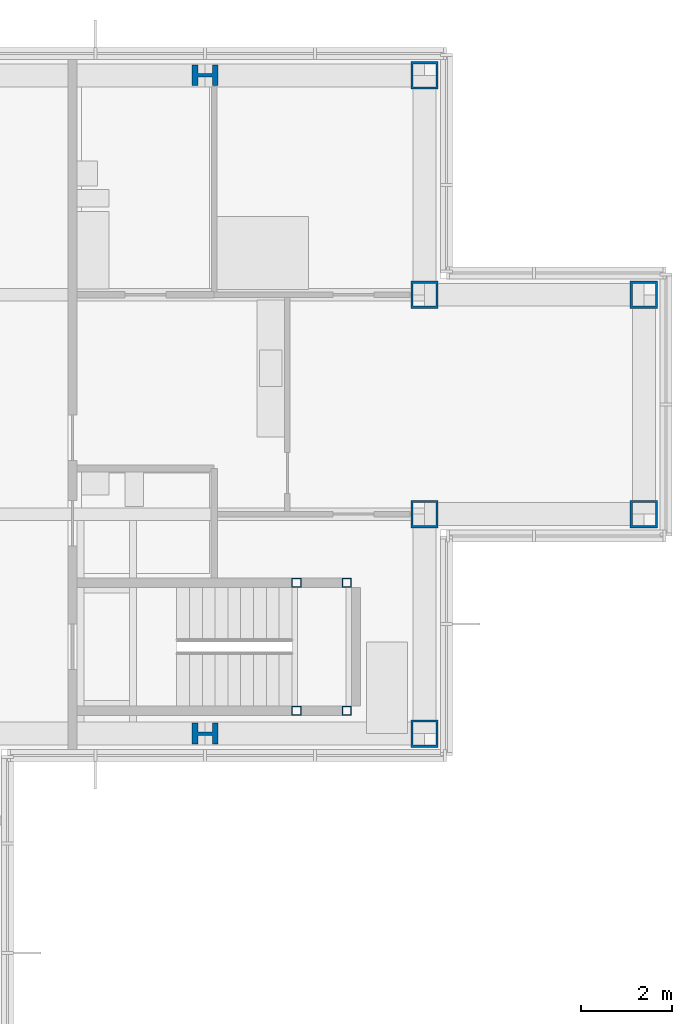
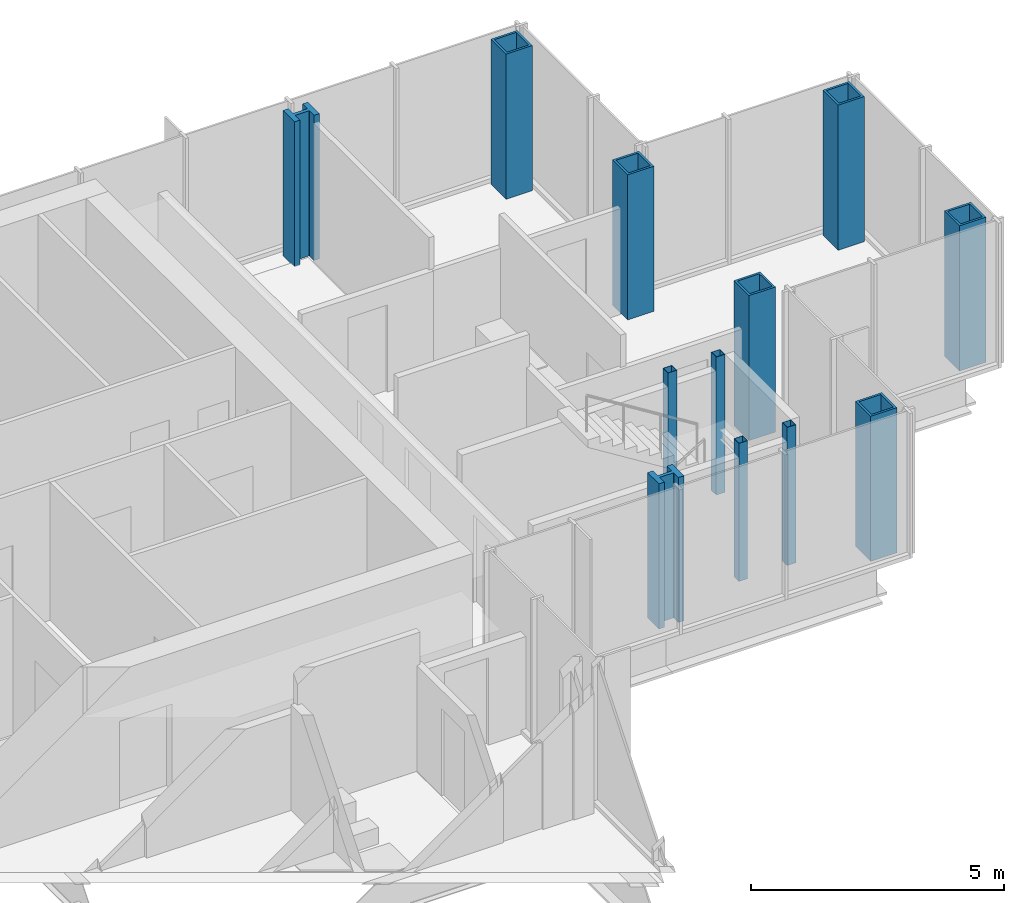
# One storey, part 4 of 15: 12 columns.
"""IFC4 building model written with IfcOpenShell, lengths in metres."""

from ifc_helpers import new_model, si_unit, direction, frame, origin, origin_2d, place, context, subcontext, project, spatial, hollow_rectangle, i_section, extrude, material, material_profile, profile_set, type_object, element, save


model = new_model("IFC4")

# Units and contexts
model_context = context("Model", 3, precision=1e-05, world=origin(), true_north=direction((0.0, 1.0)))
body_context = subcontext(model_context, "Body", "Model", "MODEL_VIEW")
ifc_project = project(units=[si_unit("LENGTHUNIT", "METRE"), si_unit("AREAUNIT", "SQUARE_METRE"), si_unit("VOLUMEUNIT", "CUBIC_METRE"), si_unit("PLANEANGLEUNIT", "RADIAN"), si_unit("MASSUNIT", "GRAM", prefix="KILO")], contexts=[model_context])

# Site, building, storey
site_placement = place(None, origin())
site = spatial("IfcSite", under=ifc_project, at=site_placement, CompositionType="ELEMENT")
building_placement = place(site_placement, origin())
building = spatial("IfcBuilding", under=site, at=building_placement, Name="Kvirike Care Tower", CompositionType="ELEMENT")
storey_placement = place(building_placement, frame((0.0, 0.0, 205.0)))
storey = spatial("IfcBuildingStorey", under=building, at=storey_placement, Name="L56", CompositionType="ELEMENT", Elevation=205.0)

# Columns
ifc_material_1 = material(Name="Steel S460", Category="steel")
ifc_material_profile_1 = material_profile(ifc_material_1, hollow_rectangle(XDim=0.60009765625, YDim=0.60009765625, WallThickness=0.050048828125, at=origin_2d()), Name="BX 600x600x50")
ifc_profile_set_1 = profile_set([ifc_material_profile_1], Name="Steel S460")
column_type_1 = type_object("IfcColumnType", Name="COLUMN BX 600x600x50", PredefinedType="COLUMN", material=ifc_profile_set_1)
for number, where, z_axis, x_axis, name in (
    (1, (38.39990234375, 28.800048828125, 0.0), (0.0, 0.0, 1.0), (0.0, 1.0, 0.0), "Column G11 L56"),
    (2, (38.39990234375, 33.60009765625, 0.0), (0.0, 0.0, 1.0), (0.0, 1.0, 0.0), "Column H11 L56"),
    (3, (38.39990234375, 38.39990234375, 0.0), (0.0, 0.0, 1.0), (0.0, 1.0, 0.0), "Column J11 L56"),
    (4, (38.39990234375, 43.199951171875, 0.0), (0.0, 0.0, 1.0), (0.0, 1.0, 0.0), "Column K11 L56"),
    (5, (43.199951171875, 33.60009765625, 0.0), (0.0, 0.0, 1.0), (0.0, 1.0, 0.0), "Column H12 L56"),
    (6, (43.199951171875, 38.39990234375, 0.0), (0.0, 0.0, 1.0), (0.0, 1.0, 0.0), "Column J12 L56"),
):
    element("IfcColumn", number, at=place(storey_placement, frame(where, z_axis=z_axis, x_axis=x_axis)), inside=storey, type_object=column_type_1, Name=name, PredefinedType="COLUMN", context=body_context, shape_type="SweptSolid", body=[
        extrude(hollow_rectangle(XDim=0.60009765625, YDim=0.60009765625, WallThickness=0.050048828125, at=origin_2d()), origin(), (0.0, 0.0, 1.0), 3.5),
    ])
ifc_material_2 = material(Name="Steel S460", Category="steel")
ifc_material_profile_2 = material_profile(ifc_material_2, i_section(OverallWidth=0.4541015625, OverallDepth=0.569091796875, WebThickness=0.077880859375, FlangeThickness=0.125, FilletRadius=0.014892578125, at=origin_2d()), Name="HD 400x1086")
ifc_profile_set_2 = profile_set([ifc_material_profile_2], Name="Steel S460")
column_type_2 = type_object("IfcColumnType", Name="COLUMN HD 400x1086", PredefinedType="COLUMN", material=ifc_profile_set_2)
for number, where, z_axis, x_axis, name in (
    (7, (33.60009765625, 28.800048828125, 0.0), (0.0, 0.0, 1.0), (0.0, 1.0, 0.0), "Column G10 L56"),
    (8, (33.60009765625, 43.199951171875, 0.0), (0.0, 0.0, 1.0), (0.0, 1.0, 0.0), "Column K10 L56"),
):
    element("IfcColumn", number, at=place(storey_placement, frame(where, z_axis=z_axis, x_axis=x_axis)), inside=storey, type_object=column_type_2, Name=name, PredefinedType="COLUMN", context=body_context, shape_type="SweptSolid", body=[
        extrude(i_section(OverallWidth=0.4541015625, OverallDepth=0.569091796875, WebThickness=0.077880859375, FlangeThickness=0.125, FilletRadius=0.014892578125, at=origin_2d()), origin(), (0.0, 0.0, 1.0), 3.5),
    ])
ifc_material_3 = material(Name="Steel S460", Category="steel")
ifc_material_profile_3 = material_profile(ifc_material_3, hollow_rectangle(XDim=0.199951171875, YDim=0.199951171875, WallThickness=0.008056640625, at=origin_2d()), Name="SHS 200x200x8")
ifc_profile_set_3 = profile_set([ifc_material_profile_3], Name="Steel S460")
column_type_3 = type_object("IfcColumnType", Name="STAIR POST SHS 200x200x8", PredefinedType="COLUMN", material=ifc_profile_set_3)
for number, where, z_axis, x_axis, name in (
    (9, (36.699951171875, 29.300048828125, 0.0), (0.0, 0.0, 1.0), (1.0, 0.0, 0.0), "Stair 2 post 1 L56"),
    (10, (36.699951171875, 32.10009765625, 0.0), (0.0, 0.0, 1.0), (1.0, 0.0, 0.0), "Stair 2 post 2 L56"),
    (11, (35.60009765625, 29.300048828125, 0.0), (0.0, 0.0, 1.0), (1.0, 0.0, 0.0), "Stair 2 post 3 L56"),
    (12, (35.60009765625, 32.10009765625, 0.0), (0.0, 0.0, 1.0), (1.0, 0.0, 0.0), "Stair 2 post 4 L56"),
):
    element("IfcColumn", number, at=place(storey_placement, frame(where, z_axis=z_axis, x_axis=x_axis)), inside=storey, type_object=column_type_3, Name=name, PredefinedType="COLUMN", context=body_context, shape_type="SweptSolid", body=[
        extrude(hollow_rectangle(XDim=0.199951171875, YDim=0.199951171875, WallThickness=0.008056640625, at=origin_2d()), origin(), (0.0, 0.0, 1.0), 3.330078125),
    ])

save(model, "model.ifc")
